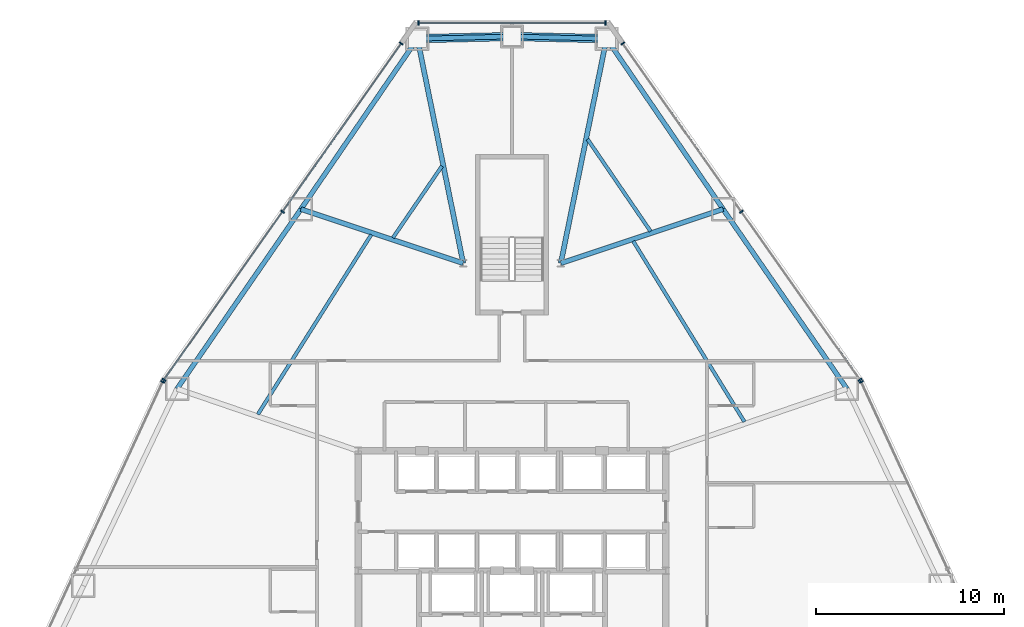
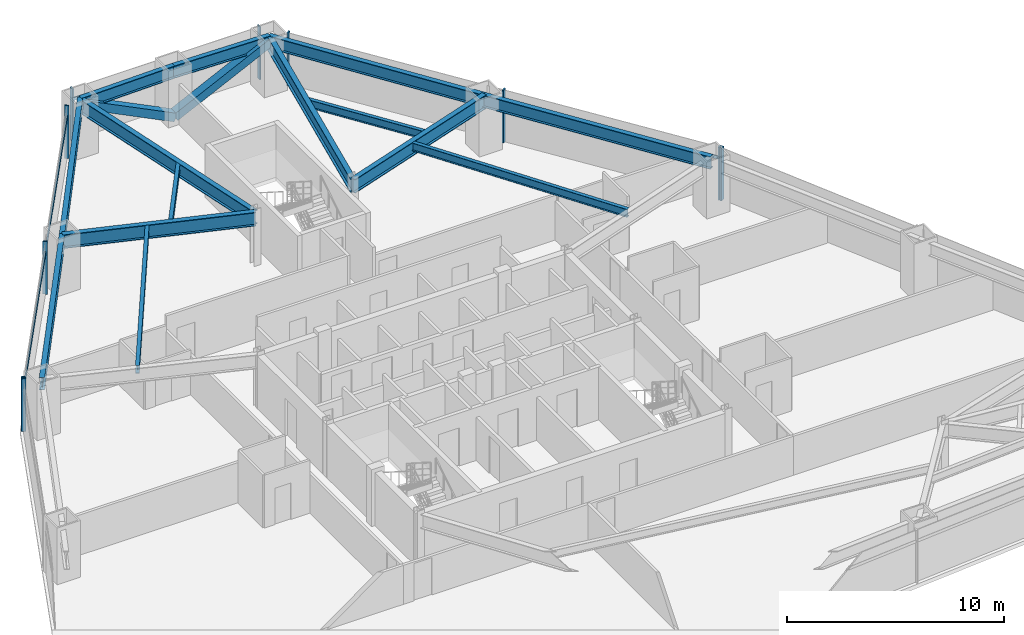
# One storey, part 7 of 12: 15 members, 14 beams, 5 elements without a shape of their own.
"""IFC4 building model written with IfcOpenShell, lengths in metres."""

from ifc_helpers import new_model, si_unit, direction, frame, origin, origin_2d, place, context, subcontext, project, spatial, rectangle, hollow_rectangle, i_section, extrude, source, transform, mapped, material, layer, layer_set, material_profile, profile_set, type_object, type_shapes, element, aggregate, save


model = new_model("IFC4")

# Units and contexts
model_context = context("Model", 3, precision=1e-05, world=origin(), true_north=direction((0.0, 1.0)))
body_context = subcontext(model_context, "Body", "Model", "MODEL_VIEW")
ifc_project = project(units=[si_unit("LENGTHUNIT", "METRE"), si_unit("AREAUNIT", "SQUARE_METRE"), si_unit("VOLUMEUNIT", "CUBIC_METRE"), si_unit("PLANEANGLEUNIT", "RADIAN"), si_unit("MASSUNIT", "GRAM", prefix="KILO")], contexts=[model_context])

# Site, building, storey
site_placement = place(None, origin())
site = spatial("IfcSite", under=ifc_project, at=site_placement, CompositionType="ELEMENT")
building_placement = place(site_placement, origin())
building = spatial("IfcBuilding", under=site, at=building_placement, Name="Varakhsha Concourse Tower", CompositionType="ELEMENT")
storey_placement = place(building_placement, frame((0.0, 0.0, 43.199951171875)))
storey = spatial("IfcBuildingStorey", under=building, at=storey_placement, Name="L11", CompositionType="ELEMENT", Elevation=43.199951171875)

# Beams
ifc_material_1 = material(Name="Structural Steel ASTM A992 Grade 50", Category="steel")
ifc_material_profile_1 = material_profile(ifc_material_1, i_section(OverallWidth=0.26611328125, OverallDepth=0.779052734375, WebThickness=0.01708984375, FlangeThickness=0.030029296875, at=origin_2d()), Name="W30X148")
ifc_profile_set_1 = profile_set([ifc_material_profile_1], Name="Structural Steel ASTM A992 Grade 50")
beam_type_1 = type_object("IfcBeamType", Name="BM-BASE-W30X148", PredefinedType="USERDEFINED", material=ifc_profile_set_1)
for number, where, z_axis, x_axis, name in (
    (1, (42.60009765625, 41.199951171875, 2.590576171875), (0.1997615207, 0.979844546266, 0.0), (-0.979844546266, 0.1997615207, 0.0), "L11 Radial Floor Girder 01"),
    (2, (37.39990234375, 41.199951171875, 2.590576171875), (-0.1997615207, 0.979844546266, 0.0), (-0.979844546266, -0.1997615207, 0.0), "L11 Radial Floor Girder 03"),
):
    element("IfcBeam", number, at=place(storey_placement, frame(where, z_axis=z_axis, x_axis=x_axis)), inside=storey, type_object=beam_type_1, Name=name, ObjectType="GIRDER", PredefinedType="USERDEFINED", context=body_context, shape_type="SweptSolid", body=[
        extrude(i_section(OverallWidth=0.26611328125, OverallDepth=0.779052734375, WebThickness=0.01708984375, FlangeThickness=0.030029296875, at=origin_2d()), origin(), (0.0, 0.0, 1.0), 12.218017578125),
    ])
for number, where, z_axis, x_axis, name in (
    (3, (37.39990234375, 41.199951171875, 2.590576171875), (-0.948694003302, 0.316195648451, 0.0), (-0.316195648451, -0.948694003302, 0.0), "L11 Radial Floor Girder 04"),
    (4, (42.60009765625, 41.199951171875, 2.590576171875), (0.948694003302, 0.316195648451, 0.0), (-0.316195648451, 0.948694003302, 0.0), "L11 Radial Floor Girder 18"),
):
    element("IfcBeam", number, at=place(storey_placement, frame(where, z_axis=z_axis, x_axis=x_axis)), inside=storey, type_object=beam_type_1, Name=name, ObjectType="GIRDER", PredefinedType="USERDEFINED", context=body_context, shape_type="SweptSolid", body=[
        extrude(i_section(OverallWidth=0.26611328125, OverallDepth=0.779052734375, WebThickness=0.01708984375, FlangeThickness=0.030029296875, at=origin_2d()), origin(), (0.0, 0.0, 1.0), 9.121826171875),
    ])
ifc_material_profile_2 = material_profile(ifc_material_1, i_section(OverallWidth=0.19091796875, OverallDepth=0.45703125, WebThickness=0.009033203125, FlangeThickness=0.013916015625, at=origin_2d()), Name="W18X50")
ifc_profile_set_2 = profile_set([ifc_material_profile_2], Name="Structural Steel ASTM A992 Grade 50")
beam_type_2 = type_object("IfcBeamType", Name="BM-JST-W18X50", PredefinedType="JOIST", material=ifc_profile_set_2)
beam_1_placement = place(storey_placement, frame((36.263916015625, 46.376708984375, 2.75146484375), z_axis=(-0.56439805482, -0.825502777533, 0.0), x_axis=(0.825502777533, -0.56439805482, 0.0)))
element("IfcBeam", 5, at=beam_1_placement, inside=storey, type_object=beam_type_2, Name="BM-TJST-L11-03", PredefinedType="JOIST", context=body_context, shape_type="SweptSolid", body=[
    extrude(i_section(OverallWidth=0.19091796875, OverallDepth=0.45703125, WebThickness=0.009033203125, FlangeThickness=0.013916015625, at=origin_2d()), origin(), (0.0, 0.0, 1.0), 4.623779296875),
])
beam_2_placement = place(storey_placement, frame((32.4951171875, 42.72216796875, 2.75146484375), z_axis=(-0.533683895247, -0.845684042627, 0.0), x_axis=(0.845684042627, -0.533683895247, 0.0)))
element("IfcBeam", 6, at=beam_2_placement, inside=storey, type_object=beam_type_2, Name="BM-TJST-L11-04", PredefinedType="JOIST", context=body_context, shape_type="SweptSolid", body=[
    extrude(i_section(OverallWidth=0.19091796875, OverallDepth=0.45703125, WebThickness=0.009033203125, FlangeThickness=0.013916015625, at=origin_2d()), origin(), (0.0, 0.0, 1.0), 11.323486328125),
])
beam_3_placement = place(storey_placement, frame((52.390625, 32.74951171875, 2.75146484375), z_axis=(-0.524201058585, 0.851594533906, 0.0), x_axis=(-0.851594533906, -0.524201058585, 0.0)))
element("IfcBeam", 7, at=beam_3_placement, inside=storey, type_object=beam_type_2, Name="BM-TJST-L11-17", PredefinedType="JOIST", context=body_context, shape_type="SweptSolid", body=[
    extrude(i_section(OverallWidth=0.19091796875, OverallDepth=0.45703125, WebThickness=0.009033203125, FlangeThickness=0.013916015625, at=origin_2d()), origin(), (0.0, 0.0, 1.0), 11.303466796875),
])
beam_4_placement = place(storey_placement, frame((47.38427734375, 42.906005859375, 2.75146484375), z_axis=(-0.564442440935, 0.825472428899, 0.0), x_axis=(-0.825472428899, -0.564442440935, 0.0)))
element("IfcBeam", 8, at=beam_4_placement, inside=storey, type_object=beam_type_2, Name="BM-TJST-L11-18", PredefinedType="JOIST", context=body_context, shape_type="SweptSolid", body=[
    extrude(i_section(OverallWidth=0.19091796875, OverallDepth=0.45703125, WebThickness=0.009033203125, FlangeThickness=0.013916015625, at=origin_2d()), origin(), (0.0, 0.0, 1.0), 5.94482421875),
])
ifc_material_profile_3 = material_profile(ifc_material_1, i_section(OverallWidth=0.25390625, OverallDepth=0.701904296875, WebThickness=0.014892578125, FlangeThickness=0.028076171875, at=origin_2d()), Name="W27X129")
ifc_profile_set_3 = profile_set([ifc_material_profile_3], Name="Structural Steel ASTM A992 Grade 50")
beam_type_3 = type_object("IfcBeamType", Name="BM-SPAN-W27X129", PredefinedType="SPANDREL", material=ifc_profile_set_3)
for number, where, z_axis, x_axis, name in (
    (9, (45.040771484375, 53.171630859375, 2.629150390625), (-0.999731000266, 0.023193255637, 0.0), (-0.023193255637, -0.999731000266, 0.0), "BM-SPAN-L11-01"),
    (10, (40.0, 53.28857421875, 2.629150390625), (-0.999731000266, -0.023193255637, 0.0), (0.023193255637, -0.999731000266, 0.0), "BM-SPAN-L11-02"),
):
    element("IfcBeam", number, at=place(storey_placement, frame(where, z_axis=z_axis, x_axis=x_axis)), inside=storey, type_object=beam_type_3, Name=name, PredefinedType="SPANDREL", context=body_context, shape_type="SweptSolid", body=[
        extrude(i_section(OverallWidth=0.25390625, OverallDepth=0.701904296875, WebThickness=0.014892578125, FlangeThickness=0.028076171875, at=origin_2d()), origin(), (0.0, 0.0, 1.0), 5.042236328125),
    ])
beam_5_placement = place(storey_placement, frame((34.959228515625, 53.171630859375, 2.629150390625), z_axis=(-0.564401639279, -0.82550032682, 0.0), x_axis=(0.82550032682, -0.564401639279, 0.0)))
element("IfcBeam", 11, at=beam_5_placement, inside=storey, type_object=beam_type_3, Name="BM-SPAN-L11-03", PredefinedType="SPANDREL", context=body_context, shape_type="SweptSolid", body=[
    extrude(i_section(OverallWidth=0.25390625, OverallDepth=0.701904296875, WebThickness=0.014892578125, FlangeThickness=0.028076171875, at=origin_2d()), origin(), (0.0, 0.0, 1.0), 11.00830078125),
])
for number, where, z_axis, x_axis, name in (
    (12, (28.74609375, 44.084228515625, 2.629150390625), (-0.567591182369, -0.823310542686, 0.0), (0.823310542686, -0.567591182369, 0.0), "BM-SPAN-L11-04"),
    (13, (57.855224609375, 34.5087890625, 2.629150390625), (-0.567591182369, 0.823310542686, 0.0), (-0.823310542686, -0.567591182369, 0.0), "BM-SPAN-L11-17"),
):
    element("IfcBeam", number, at=place(storey_placement, frame(where, z_axis=z_axis, x_axis=x_axis)), inside=storey, type_object=beam_type_3, Name=name, PredefinedType="SPANDREL", context=body_context, shape_type="SweptSolid", body=[
        extrude(i_section(OverallWidth=0.25390625, OverallDepth=0.701904296875, WebThickness=0.014892578125, FlangeThickness=0.028076171875, at=origin_2d()), origin(), (0.0, 0.0, 1.0), 11.63037109375),
    ])
beam_6_placement = place(storey_placement, frame((51.25390625, 44.084228515625, 2.629150390625), z_axis=(-0.564401639279, 0.82550032682, 0.0), x_axis=(-0.82550032682, -0.564401639279, 0.0)))
element("IfcBeam", 14, at=beam_6_placement, inside=storey, type_object=beam_type_3, Name="BM-SPAN-L11-18", PredefinedType="SPANDREL", context=body_context, shape_type="SweptSolid", body=[
    extrude(i_section(OverallWidth=0.25390625, OverallDepth=0.701904296875, WebThickness=0.014892578125, FlangeThickness=0.028076171875, at=origin_2d()), origin(), (0.0, 0.0, 1.0), 11.00830078125),
])

# Members
ifc_material_2 = material(Name="Structural Steel ASTM A500 Grade C", Category="steel")
ifc_material_profile_4 = material_profile(ifc_material_2, hollow_rectangle(XDim=0.449951171875, YDim=0.449951171875, WallThickness=0.01904296875, at=origin_2d()), Name="HSS 450x450x19")
ifc_profile_set_4 = profile_set([ifc_material_profile_4], Name="Structural Steel ASTM A500 Grade C")
member_type_1 = type_object("IfcMemberType", Name="MB-TUBE-HSS450", PredefinedType="BRACE", material=ifc_profile_set_4)
shared_shape_1 = source(origin(), body_context, "Body", "SweptSolid", [
    extrude(hollow_rectangle(XDim=0.449951171875, YDim=0.449951171875, WallThickness=0.01904296875, at=origin_2d()), origin(), (0.0, 0.0, 1.0), 5.65478515625),
])
type_shapes(member_type_1, [shared_shape_1])
for number, where, z_axis, x_axis, name in (
    (15, (40.0, 53.28857421875, 0.1201171875), (0.891429412653, -0.020680713356, 0.452687431184), (0.023193255637, 0.999731000266, 0.0), "L11 Wind-Corner Tube Brace B01"),
    (16, (40.0, 53.28857421875, 0.1201171875), (-0.891429412653, -0.020680713356, 0.452687431184), (0.023193255637, -0.999731000266, 0.0), "L11 Wind-Corner Tube Brace B02"),
):
    element("IfcMember", number, at=place(storey_placement, frame(where, z_axis=z_axis, x_axis=x_axis)), inside=storey, type_object=member_type_1, Name=name, PredefinedType="BRACE", context=body_context, shape_type="MappedRepresentation", body=[
        mapped(shared_shape_1, transform((0.0, 0.0, 0.0), scale=1.0)),
    ])

# Curtain wall, members
ifc_material_3 = material(Name="Anodised Bronze Architectural Aluminium AA 6063-T6", Category="aluminium")
ifc_layer = layer(ifc_material_3, 0.219970703125, Name="CW-SYS-02")
ifc_layer_set = layer_set([ifc_layer], Name="Anodised Bronze Architectural Aluminium AA 6063-T6")
curtain_wall_type = type_object("IfcCurtainWallType", Name="CW-SYS-02", PredefinedType="NOTDEFINED", material=ifc_layer_set)
curtain_wall_1_placement = place(storey_placement, origin())
curtain_wall_1 = element("IfcCurtainWall", 17, at=curtain_wall_1_placement, inside=storey, type_object=curtain_wall_type, Name="L11 Chamfer Curtain Wall F1", PredefinedType="NOTDEFINED")
ifc_material_profile_5 = material_profile(ifc_material_3, rectangle(XDim=0.074951171875, YDim=0.219970703125, at=origin_2d()), Name="CWM-220X75")
ifc_profile_set_5 = profile_set([ifc_material_profile_5], Name="Anodised Bronze Architectural Aluminium AA 6063-T6")
member_type_2 = type_object("IfcMemberType", Name="CWM-220X75", PredefinedType="MULLION", material=ifc_profile_set_5)
shared_shape_2 = source(origin(), body_context, "Body", "SweptSolid", [
    extrude(rectangle(XDim=0.074951171875, YDim=0.219970703125, at=origin_2d()), origin(), (0.0, 0.0, 1.0), 2.97998046875),
])
type_shapes(member_type_2, [shared_shape_2])
member_1_placement = place(storey_placement, frame((35.005615234375, 54.008544921875, 0.0), z_axis=(0.0, 0.0, 1.0), x_axis=(1.0, 0.0, 0.0)))
member_1 = element("IfcMember", 18, at=member_1_placement, type_object=member_type_2, Name="CW-L11-F1 Mullion 00", PredefinedType="MULLION", context=body_context, shape_type="MappedRepresentation", body=[
    mapped(shared_shape_2, transform((0.0, 0.0, 0.0), scale=1.0)),
])
member_2_placement = place(storey_placement, frame((44.994384765625, 54.008544921875, 0.0), z_axis=(0.0, 0.0, 1.0), x_axis=(1.0, 0.0, 0.0)))
member_2 = element("IfcMember", 19, at=member_2_placement, type_object=member_type_2, Name="CW-L11-F1 Mullion 01", PredefinedType="MULLION", context=body_context, shape_type="MappedRepresentation", body=[
    mapped(shared_shape_2, transform((0.0, 0.0, 0.0), scale=1.0)),
])

curtain_wall_2_placement = place(storey_placement, origin())
curtain_wall_2 = element("IfcCurtainWall", 20, at=curtain_wall_2_placement, inside=storey, type_object=curtain_wall_type, Name="L11 Crystal Curtain Wall F2", PredefinedType="NOTDEFINED")
member_3_placement = place(storey_placement, frame((21.4453125, 34.98779296875, 0.0), z_axis=(0.0, 0.0, 1.0), x_axis=(0.576593464077, 0.817031197191, 0.0)))
member_3 = element("IfcMember", 21, at=member_3_placement, type_object=member_type_2, Name="CW-L11-F2 Mullion 00", PredefinedType="MULLION", context=body_context, shape_type="MappedRepresentation", body=[
    mapped(shared_shape_2, transform((0.0, 0.0, 0.0), scale=1.0)),
])
member_4_placement = place(storey_placement, frame((27.771484375, 43.951904296875, 0.0), z_axis=(0.0, 0.0, 1.0), x_axis=(0.576593464077, 0.817031197191, 0.0)))
member_4 = element("IfcMember", 22, at=member_4_placement, type_object=member_type_2, Name="CW-L11-F2 Mullion 01", PredefinedType="MULLION", context=body_context, shape_type="MappedRepresentation", body=[
    mapped(shared_shape_2, transform((0.0, 0.0, 0.0), scale=1.0)),
])
member_5_placement = place(storey_placement, frame((34.09765625, 52.916259765625, 0.0), z_axis=(0.0, 0.0, 1.0), x_axis=(0.576593464077, 0.817031197191, 0.0)))
member_5 = element("IfcMember", 23, at=member_5_placement, type_object=member_type_2, Name="CW-L11-F2 Mullion 02", PredefinedType="MULLION", context=body_context, shape_type="MappedRepresentation", body=[
    mapped(shared_shape_2, transform((0.0, 0.0, 0.0), scale=1.0)),
])

# Curtain wall, member
curtain_wall_3_placement = place(storey_placement, origin())
curtain_wall_3 = element("IfcCurtainWall", 24, at=curtain_wall_3_placement, inside=storey, type_object=curtain_wall_type, Name="L11 Crystal Curtain Wall F3", PredefinedType="NOTDEFINED")
member_6_placement = place(storey_placement, frame((21.380126953125, 34.875, 0.0), z_axis=(0.0, 0.0, 1.0), x_axis=(0.419269871381, 0.907861649676, 0.0)))
member_6 = element("IfcMember", 25, at=member_6_placement, type_object=member_type_2, Name="CW-L11-F3 Mullion 02", PredefinedType="MULLION", context=body_context, shape_type="MappedRepresentation", body=[
    mapped(shared_shape_2, transform((0.0, 0.0, 0.0), scale=1.0)),
])
aggregate(curtain_wall_3, [member_6])

curtain_wall_4_placement = place(storey_placement, origin())
curtain_wall_4 = element("IfcCurtainWall", 26, at=curtain_wall_4_placement, inside=storey, type_object=curtain_wall_type, Name="L11 Crystal Curtain Wall F8", PredefinedType="NOTDEFINED")
member_7_placement = place(storey_placement, frame((58.619873046875, 34.875, 0.0), z_axis=(0.0, 0.0, 1.0), x_axis=(0.419269871381, -0.907861649676, 0.0)))
member_7 = element("IfcMember", 27, at=member_7_placement, type_object=member_type_2, Name="CW-L11-F8 Mullion 00", PredefinedType="MULLION", context=body_context, shape_type="MappedRepresentation", body=[
    mapped(shared_shape_2, transform((0.0, 0.0, 0.0), scale=1.0)),
])
aggregate(curtain_wall_4, [member_7])

# Curtain wall, members
curtain_wall_5_placement = place(storey_placement, origin())
curtain_wall_5 = element("IfcCurtainWall", 28, at=curtain_wall_5_placement, inside=storey, type_object=curtain_wall_type, Name="L11 Crystal Curtain Wall F9", PredefinedType="NOTDEFINED")
member_8_placement = place(storey_placement, frame((45.90234375, 52.916259765625, 0.0), z_axis=(0.0, 0.0, 1.0), x_axis=(0.576593464077, -0.817031197191, 0.0)))
member_8 = element("IfcMember", 29, at=member_8_placement, type_object=member_type_2, Name="CW-L11-F9 Mullion 00", PredefinedType="MULLION", context=body_context, shape_type="MappedRepresentation", body=[
    mapped(shared_shape_2, transform((0.0, 0.0, 0.0), scale=1.0)),
])
member_9_placement = place(storey_placement, frame((52.228515625, 43.951904296875, 0.0), z_axis=(0.0, 0.0, 1.0), x_axis=(0.576593464077, -0.817031197191, 0.0)))
member_9 = element("IfcMember", 30, at=member_9_placement, type_object=member_type_2, Name="CW-L11-F9 Mullion 01", PredefinedType="MULLION", context=body_context, shape_type="MappedRepresentation", body=[
    mapped(shared_shape_2, transform((0.0, 0.0, 0.0), scale=1.0)),
])
member_10_placement = place(storey_placement, frame((58.5546875, 34.98779296875, 0.0), z_axis=(0.0, 0.0, 1.0), x_axis=(0.576593464077, -0.817031197191, 0.0)))
member_10 = element("IfcMember", 31, at=member_10_placement, type_object=member_type_2, Name="CW-L11-F9 Mullion 02", PredefinedType="MULLION", context=body_context, shape_type="MappedRepresentation", body=[
    mapped(shared_shape_2, transform((0.0, 0.0, 0.0), scale=1.0)),
])

# Member
ifc_material_profile_6 = material_profile(ifc_material_3, rectangle(XDim=0.06494140625, YDim=0.159912109375, at=origin_2d()), Name="CWT-160X65")
ifc_profile_set_6 = profile_set([ifc_material_profile_6], Name="Anodised Bronze Architectural Aluminium AA 6063-T6")
member_type_3 = type_object("IfcMemberType", Name="CWT-160X65", PredefinedType="USERDEFINED", material=ifc_profile_set_6)
shared_shape_3 = source(origin(), body_context, "Body", "SweptSolid", [
    extrude(rectangle(XDim=0.06494140625, YDim=0.159912109375, at=origin_2d()), origin(), (0.0, 0.0, 1.0), 9.98876953125),
])
member_11_placement = place(storey_placement, frame((35.005615234375, 54.008544921875, 2.330078125), z_axis=(1.0, 0.0, 0.0), x_axis=(0.0, 1.0, 0.0)))
member_11 = element("IfcMember", 32, at=member_11_placement, type_object=member_type_3, Name="CW-L11-F1 Transom 01", ObjectType="TRANSOM", PredefinedType="USERDEFINED", context=body_context, shape_type="MappedRepresentation", body=[
    mapped(shared_shape_3, transform((0.0, 0.0, 0.0), scale=1.0)),
])

aggregate(curtain_wall_1, [member_1, member_2, member_11])

shared_shape_4 = source(origin(), body_context, "Body", "SweptSolid", [
    extrude(rectangle(XDim=0.06494140625, YDim=0.159912109375, at=origin_2d()), origin(), (0.0, 0.0, 1.0), 21.943359375),
])
type_shapes(member_type_3, [shared_shape_3, shared_shape_4])
member_12_placement = place(storey_placement, frame((21.4453125, 34.98779296875, 2.330078125), z_axis=(0.576590589092, 0.817033226111, 0.0), x_axis=(-0.817033226111, 0.576590589092, 0.0)))
member_12 = element("IfcMember", 33, at=member_12_placement, type_object=member_type_3, Name="CW-L11-F2 Transom 01", ObjectType="TRANSOM", PredefinedType="USERDEFINED", context=body_context, shape_type="MappedRepresentation", body=[
    mapped(shared_shape_4, transform((0.0, 0.0, 0.0), scale=1.0)),
])

aggregate(curtain_wall_2, [member_3, member_4, member_5, member_12])

member_13_placement = place(storey_placement, frame((45.90234375, 52.916259765625, 2.330078125), z_axis=(0.576590589092, -0.817033226111, 0.0), x_axis=(0.817033226111, 0.576590589092, 0.0)))
member_13 = element("IfcMember", 34, at=member_13_placement, type_object=member_type_3, Name="CW-L11-F9 Transom 01", ObjectType="TRANSOM", PredefinedType="USERDEFINED", context=body_context, shape_type="MappedRepresentation", body=[
    mapped(shared_shape_4, transform((0.0, 0.0, 0.0), scale=1.0)),
])

aggregate(curtain_wall_5, [member_8, member_9, member_10, member_13])

save(model, "model.ifc")
